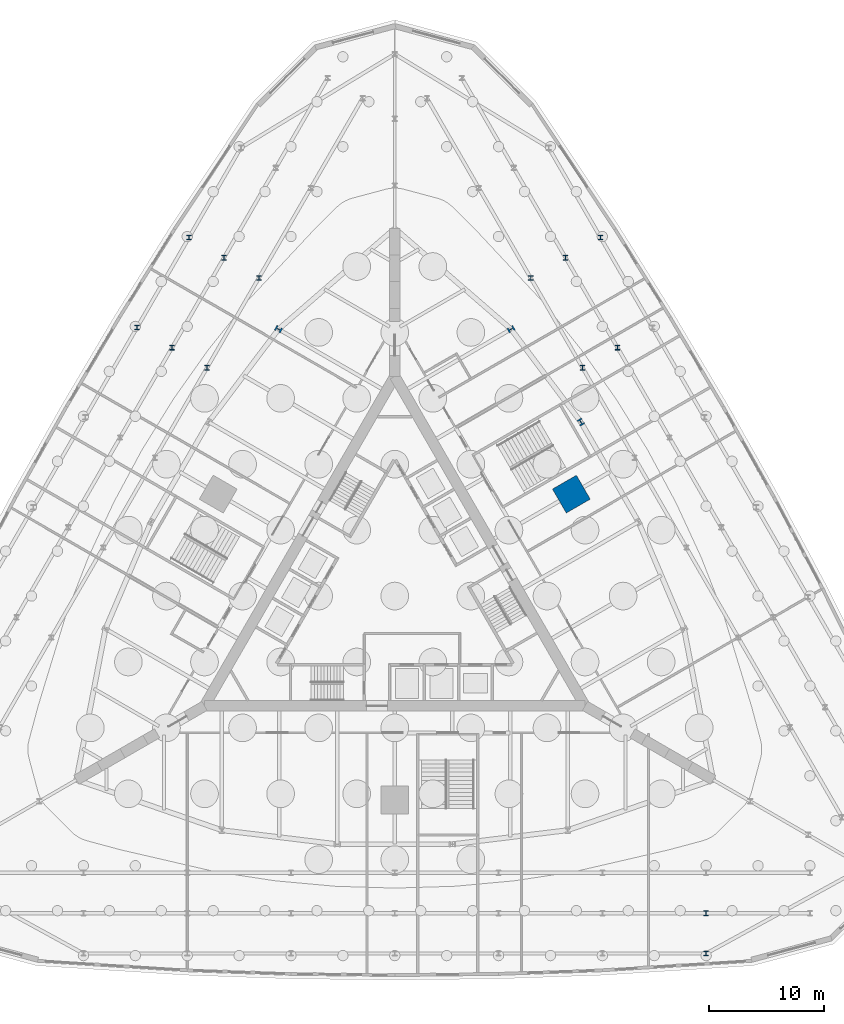
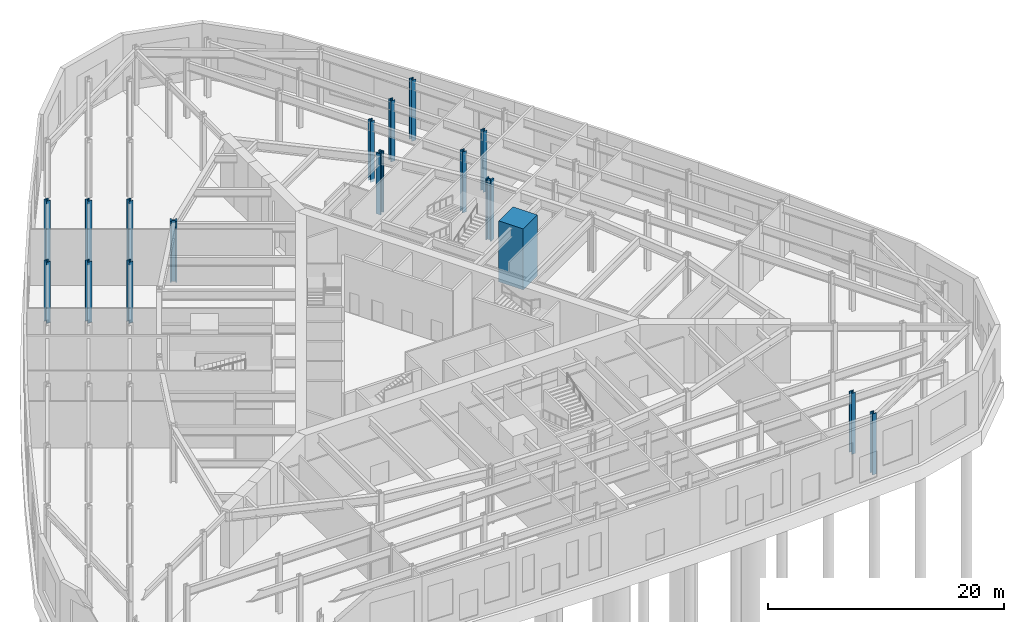
# One storey, part 4 of 17: 17 columns.
"""IFC4 building model written with IfcOpenShell, lengths in metres."""

from ifc_helpers import new_model, si_unit, direction, frame, origin, origin_2d, place, context, subcontext, project, spatial, rectangle, i_section, extrude, material, material_profile, profile_set, type_object, element, save


model = new_model("IFC4")

# Units and contexts
model_context = context("Model", 3, precision=1e-05, world=origin(), true_north=direction((0.0, 1.0)))
body_context = subcontext(model_context, "Body", "Model", "MODEL_VIEW")
ifc_project = project(units=[si_unit("LENGTHUNIT", "METRE"), si_unit("AREAUNIT", "SQUARE_METRE"), si_unit("VOLUMEUNIT", "CUBIC_METRE"), si_unit("PLANEANGLEUNIT", "RADIAN"), si_unit("MASSUNIT", "GRAM", prefix="KILO")], contexts=[model_context])

# Site, building, storey
site_placement = place(None, origin())
site = spatial("IfcSite", under=ifc_project, at=site_placement, CompositionType="ELEMENT")
building_placement = place(site_placement, origin())
building = spatial("IfcBuilding", under=site, at=building_placement, Name="Trikona Tower", CompositionType="ELEMENT")
storey_placement = place(building_placement, origin())
storey = spatial("IfcBuildingStorey", under=building, at=storey_placement, Name="L00", CompositionType="ELEMENT", Elevation=0.0)

# Columns
ifc_material_1 = material(Name="Concrete f'c 10000 psi with encased steel section", Category="concrete")
ifc_material_profile_1 = material_profile(ifc_material_1, rectangle(XDim=2.39990234375, YDim=2.39990234375, at=origin_2d()), Name="MC2400")
ifc_profile_set_1 = profile_set([ifc_material_profile_1], Name="Concrete f'c 10000 psi with encased steel section")
column_type_1 = type_object("IfcColumnType", Name="Composite mega column 2400x2400", PredefinedType="COLUMN", material=ifc_profile_set_1)
column_placement = place(storey_placement, frame((15.311767578125, 8.84033203125, -0.300048828125), z_axis=(0.0, 0.0, 1.0), x_axis=(0.866025403784, 0.5, 0.0)))
element("IfcColumn", 1, at=column_placement, inside=storey, type_object=column_type_1, Name="Mega column MC2", PredefinedType="COLUMN", context=body_context, shape_type="SweptSolid", body=[
    extrude(rectangle(XDim=2.39990234375, YDim=2.39990234375, at=origin_2d()), origin(), (0.0, 0.0, 1.0), 6.300048828125),
])
ifc_material_2 = material(Name="Steel ASTM A992 Grade 50", Category="steel")
ifc_material_profile_2 = material_profile(ifc_material_2, i_section(OverallWidth=0.406494140625, OverallDepth=0.41650390625, WebThickness=0.030029296875, FlangeThickness=0.048095703125, at=origin_2d()), Name="W14X257")
ifc_profile_set_2 = profile_set([ifc_material_profile_2], Name="Steel ASTM A992 Grade 50")
column_type_2 = type_object("IfcColumnType", Name="Steel column W14x257", PredefinedType="COLUMN", material=ifc_profile_set_2)
for number, where, z_axis, x_axis, name in (
    (2, (11.78466796875, 27.58837890625, -0.300048828125), (0.0, 0.0, 1.0), (1.0, 0.0, 0.0), "Column R24F1p18"),
    (3, (16.28466796875, 19.794189453125, -0.300048828125), (0.0, 0.0, 1.0), (1.0, 0.0, 0.0), "Column R24F1p9"),
    (4, (-11.78466796875, 27.58837890625, -0.300048828125), (0.0, 0.0, 1.0), (1.0, 0.0, 0.0), "Column R24F2m18"),
    (5, (-16.28466796875, 19.794189453125, -0.300048828125), (0.0, 0.0, 1.0), (1.0, 0.0, 0.0), "Column R24F2m9"),
    (6, (27.0, -27.5, -0.300048828125), (0.0, 0.0, 1.0), (1.0, 0.0, 0.0), "Column R27.5F0p27"),
    (7, (14.815673828125, 29.33837890625, -0.300048828125), (0.0, 0.0, 1.0), (1.0, 0.0, 0.0), "Column R27.5F1p18"),
    (8, (19.315673828125, 21.544189453125, -0.300048828125), (0.0, 0.0, 1.0), (1.0, 0.0, 0.0), "Column R27.5F1p9"),
    (9, (-14.815673828125, 29.33837890625, -0.300048828125), (0.0, 0.0, 1.0), (1.0, 0.0, 0.0), "Column R27.5F2m18"),
    (10, (-19.315673828125, 21.544189453125, -0.300048828125), (0.0, 0.0, 1.0), (1.0, 0.0, 0.0), "Column R27.5F2m9"),
    (11, (27.0, -31.0, -0.300048828125), (0.0, 0.0, 1.0), (1.0, 0.0, 0.0), "Column R31F0p27"),
    (12, (17.8466796875, 31.08837890625, -0.300048828125), (0.0, 0.0, 1.0), (1.0, 0.0, 0.0), "Column R31F1p18"),
    (13, (-17.8466796875, 31.08837890625, -0.300048828125), (0.0, 0.0, 1.0), (1.0, 0.0, 0.0), "Column R31F2m18"),
    (14, (-22.3466796875, 23.294189453125, -0.300048828125), (0.0, 0.0, 1.0), (1.0, 0.0, 0.0), "Column R31F2m9"),
):
    element("IfcColumn", number, at=place(storey_placement, frame(where, z_axis=z_axis, x_axis=x_axis)), inside=storey, type_object=column_type_2, Name=name, PredefinedType="COLUMN", context=body_context, shape_type="SweptSolid", body=[
        extrude(i_section(OverallWidth=0.406494140625, OverallDepth=0.41650390625, WebThickness=0.030029296875, FlangeThickness=0.048095703125, at=origin_2d()), origin(), (0.0, 0.0, 1.0), 6.300048828125),
    ])
ifc_material_3 = material(Name="Steel ASTM A992 Grade 50", Category="steel")
ifc_material_profile_3 = material_profile(ifc_material_3, i_section(OverallWidth=0.45458984375, OverallDepth=0.56884765625, WebThickness=0.077880859375, FlangeThickness=0.124755859375, at=origin_2d()), Name="W14X730")
ifc_profile_set_3 = profile_set([ifc_material_profile_3], Name="Steel ASTM A992 Grade 50")
column_type_3 = type_object("IfcColumnType", Name="Steel column W14x730", PredefinedType="COLUMN", material=ifc_profile_set_3)
for number, where, z_axis, x_axis, name in (
    (15, (16.13720703125, 15.09033203125, -0.300048828125), (0.0, 0.0, 1.0), (0.866025403784, 0.5, 0.0), "Column F1p5"),
    (16, (10.0830078125, 23.141845703125, -0.300048828125), (0.0, 0.0, 1.0), (-0.5, 0.866025403784, 0.0), "Column F1p15"),
    (17, (-10.0830078125, 23.141845703125, -0.300048828125), (0.0, 0.0, 1.0), (-0.5, -0.866025403784, 0.0), "Column F2m15"),
):
    element("IfcColumn", number, at=place(storey_placement, frame(where, z_axis=z_axis, x_axis=x_axis)), inside=storey, type_object=column_type_3, Name=name, PredefinedType="COLUMN", context=body_context, shape_type="SweptSolid", body=[
        extrude(i_section(OverallWidth=0.45458984375, OverallDepth=0.56884765625, WebThickness=0.077880859375, FlangeThickness=0.124755859375, at=origin_2d()), origin(), (0.0, 0.0, 1.0), 6.300048828125),
    ])

save(model, "model.ifc")
